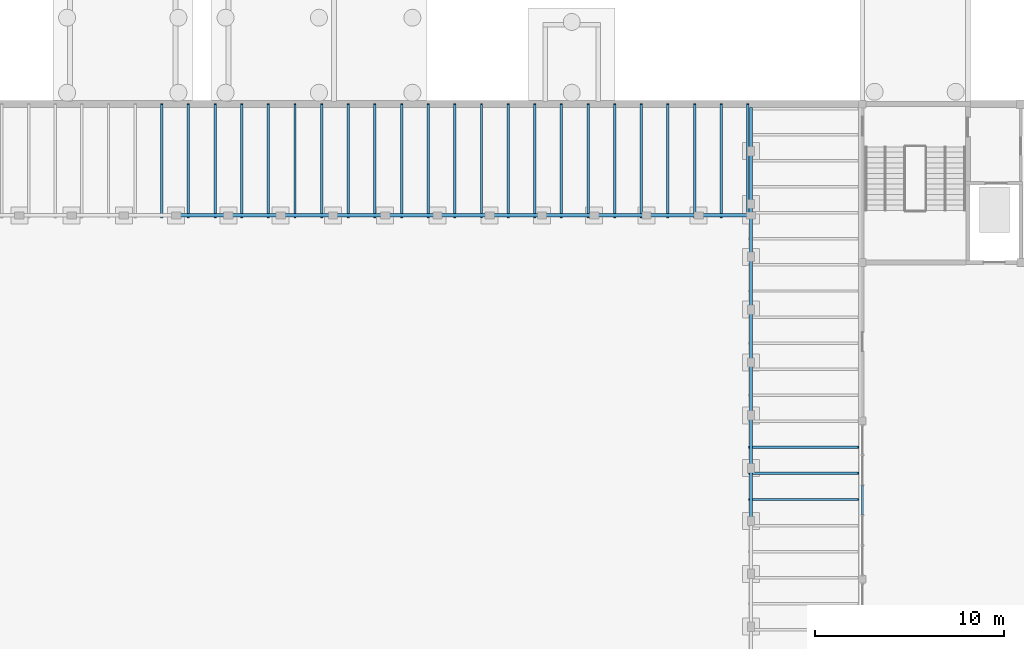
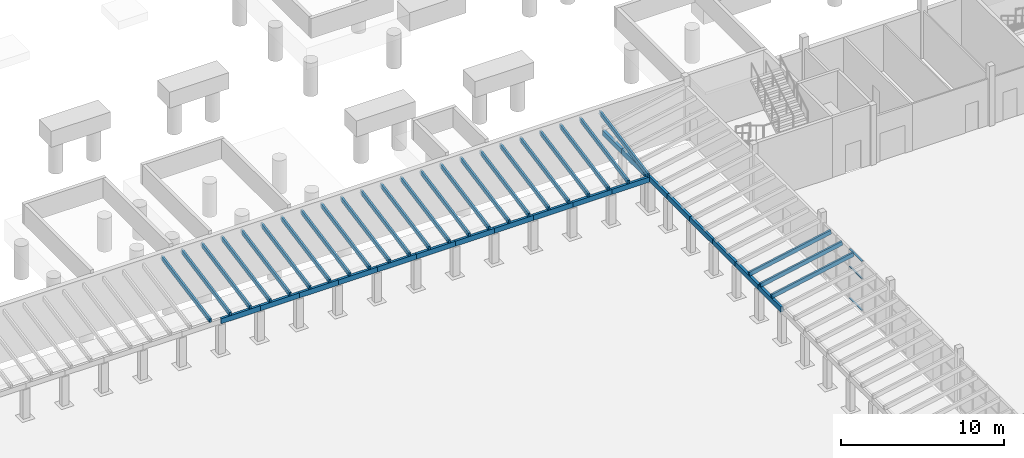
# One storey, part 17 of 60: 29 members, 19 beams, 1 element without a shape of its own.
"""IFC4 building model written with IfcOpenShell, lengths in metres."""

import ifcopenshell
import ifcopenshell.guid

model = None  # the IFC model being written
_history = None  # IfcOwnerHistory: only IFC2X3 demands one
_inside = {}  # id of a spatial element -> (the spatial element, [elements in it])
_under = {}  # id of a project, library or spatial element -> (it, [spatial elements below it])
_declared = {}  # id of a project -> (the project, [libraries it declares])
_typed = {}  # id of a type object -> (the type object, [elements of that type])
_made_of = {}  # id of a material, layer set ... -> (it, [elements and type objects made of it])


def new_model(schema):
    """Start an empty IFC model of exactly this schema.

    Asked for "IFC4X3", IfcOpenShell would pick the latest addendum, in which some entities
    have other attributes; the version numbers below select the first issue.
    IFC2X3 requires an IfcOwnerHistory on every rooted entity: one is made here for all.
    """
    global model, _history
    if schema == "IFC4X3":
        model = ifcopenshell.file(schema_version=(4, 3, 0, 0))
    else:
        model = ifcopenshell.file(schema=schema)
    _inside.clear()
    _under.clear()
    _declared.clear()
    _typed.clear()
    _made_of.clear()
    _history = None
    if model.schema == "IFC2X3":
        org = make("IfcOrganization", Name="unknown")
        user = make(
            "IfcPersonAndOrganization",
            ThePerson=make("IfcPerson", FamilyName="unknown"),
            TheOrganization=org,
        )
        app = make(
            "IfcApplication",
            ApplicationDeveloper=org,
            Version="unknown",
            ApplicationFullName="unknown",
            ApplicationIdentifier="unknown",
        )
        _history = make(
            "IfcOwnerHistory",
            OwningUser=user,
            OwningApplication=app,
            ChangeAction="ADDED",
            CreationDate=0,
        )
    return model


def make(cls, **values):
    """One entity of the class cls with the attributes given. An attribute that is None is left unset."""
    return model.create_entity(
        cls, **{name: value for name, value in values.items() if value is not None}
    )


def rooted(cls, **values):
    """An entity with a GlobalId (a new one), such as an element, a storey or a relation."""
    return make(cls, GlobalId=ifcopenshell.guid.new(), OwnerHistory=_history, **values)


def si_unit(unit_type, name, prefix=None):
    """IfcSIUnit, for example si_unit("LENGTHUNIT", "METRE", prefix="MILLI")."""
    return make("IfcSIUnit", UnitType=unit_type, Prefix=prefix, Name=name)


def assignment(units):
    """IfcUnitAssignment: the units of a project."""
    return None if units is None else make("IfcUnitAssignment", Units=units)


def point(xyz):
    """IfcCartesianPoint."""
    return None if xyz is None else make("IfcCartesianPoint", Coordinates=xyz)


def direction(xyz):
    """IfcDirection."""
    return None if xyz is None else make("IfcDirection", DirectionRatios=xyz)


def frame(location, z_axis=None, x_axis=None):
    """IfcAxis2Placement3D, a coordinate frame: its origin and axes. An axis left out is left unset."""
    return make(
        "IfcAxis2Placement3D",
        Location=point(location),
        Axis=direction(z_axis),
        RefDirection=direction(x_axis),
    )


def frame_2d(location, x_axis=None):
    """IfcAxis2Placement2D, a coordinate frame in the plane: its origin and x axis."""
    return make(
        "IfcAxis2Placement2D", Location=point(location), RefDirection=direction(x_axis)
    )


def origin():
    """The frame at (0, 0, 0) with its axes left unset."""
    return frame((0.0, 0.0, 0.0))


def origin_2d():
    """The frame at (0, 0) in the plane with its x axis left unset."""
    return frame_2d((0.0, 0.0))


def place(relative_to, where):
    """IfcLocalPlacement: puts the frame where relative to a parent placement (None: the world)."""
    return make(
        "IfcLocalPlacement", PlacementRelTo=relative_to, RelativePlacement=where
    )


def context(
    kind, dimensions, precision=None, world=None, true_north=None, identifier=None
):
    """IfcGeometricRepresentationContext, for example the 3D "Model" context."""
    return make(
        "IfcGeometricRepresentationContext",
        ContextIdentifier=identifier,
        ContextType=kind,
        CoordinateSpaceDimension=dimensions,
        Precision=precision,
        WorldCoordinateSystem=world,
        TrueNorth=true_north,
    )


def subcontext(parent, identifier, kind, view, scale=None):
    """IfcGeometricRepresentationSubContext, for example "Body" below "Model"."""
    return make(
        "IfcGeometricRepresentationSubContext",
        ContextIdentifier=identifier,
        ContextType=kind,
        ParentContext=parent,
        TargetScale=scale,
        TargetView=view,
    )


def project(units=None, contexts=None):
    """IfcProject with its units and contexts."""
    return rooted(
        "IfcProject",
        Name="project",
        RepresentationContexts=contexts,
        UnitsInContext=assignment(units),
    )


def spatial(cls, under=None, at=None, **own):
    """A site, building, storey or space (cls), placed at a placement, below another one or the project."""
    s = rooted(cls, ObjectPlacement=at, **own)
    if under is not None:
        _under.setdefault(under.id(), (under, []))[1].append(s)
    return s


def profile(cls, at=None, kind="AREA", **sizes):
    """A parametric profile (cls). Its sizes go by their IFC names, for example OverallWidth=200.0."""
    return make(cls, ProfileType=kind, Position=at, **sizes)


def rectangle(**sizes):
    """IfcRectangleProfileDef."""
    return profile("IfcRectangleProfileDef", **sizes)


def extrude(swept, where, along, depth):
    """IfcExtrudedAreaSolid: the profile swept, set in the frame where, extruded along a direction by depth."""
    return make(
        "IfcExtrudedAreaSolid",
        SweptArea=swept,
        Position=where,
        ExtrudedDirection=direction(along),
        Depth=depth,
    )


def shape(context_of_items, identifier, shape_type, items):
    """IfcShapeRepresentation: the items that make up one representation, for example the "Body"."""
    return make(
        "IfcShapeRepresentation",
        ContextOfItems=context_of_items,
        RepresentationIdentifier=identifier,
        RepresentationType=shape_type,
        Items=items,
    )


def material(Name=None, Category=None):
    """IfcMaterial."""
    return make("IfcMaterial", Name=Name, Category=Category)


def material_profile(
    of_material, cross_section, Name=None, Category=None, Priority=None
):
    """IfcMaterialProfile: a cross section and its material."""
    return make(
        "IfcMaterialProfile",
        Name=Name,
        Material=of_material,
        Profile=cross_section,
        Priority=Priority,
        Category=Category,
    )


def profile_set(profiles, Name=None, composite=None):
    """IfcMaterialProfileSet."""
    return make(
        "IfcMaterialProfileSet",
        Name=Name,
        MaterialProfiles=profiles,
        CompositeProfile=composite,
    )


def made_of(thing, what):
    """Note that an element or type object is made of a material, layer set ...; save() writes the relation."""
    if what is not None:
        _made_of.setdefault(what.id(), (what, []))[1].append(thing)
    return thing


def type_object(cls, material=None, **own):
    """A type object (cls), such as IfcWallType, which elements share."""
    return made_of(rooted(cls, **own), material)


def element(
    cls,
    number,
    at=None,
    inside=None,
    cuts=None,
    type_object=None,
    material=None,
    context=None,
    identifier="Body",
    shape_type=None,
    held_by="IfcProductDefinitionShape",
    body=None,
    shapes=None,
    **own,
):
    """One element of the class cls, such as IfcWall. Its Tag is "e" and its number.

    at: its placement. inside: the storey or other place that contains it. cuts: it is an
    opening in that element (IfcRelVoidsElement). A single representation is given by context,
    identifier, shape_type and body (its items); several are given by shapes. held_by: the class
    of the entity that holds the representations. save() writes the other relations.
    """
    e = rooted(cls, Tag="e%d" % number, ObjectPlacement=at, **own)
    if body is not None:
        shapes = [shape(context, identifier, shape_type, body)]
    if shapes is not None:
        e.Representation = make(held_by, Representations=shapes)
    if inside is not None:
        _inside.setdefault(inside.id(), (inside, []))[1].append(e)
    if cuts is not None:
        rooted(
            "IfcRelVoidsElement", RelatingBuildingElement=cuts, RelatedOpeningElement=e
        )
    if type_object is not None:
        _typed.setdefault(type_object.id(), (type_object, []))[1].append(e)
    return made_of(e, material)


def aggregate(whole, parts):
    """IfcRelAggregates: a whole, such as a stair, and the parts it consists of."""
    return rooted("IfcRelAggregates", RelatingObject=whole, RelatedObjects=parts)


def save(model, path):
    """Write the relations noted so far, then the file.

    IfcRelAggregates (storeys below a building ...), IfcRelContainedInSpatialStructure (elements
    in a storey), IfcRelDefinesByType, IfcRelAssociatesMaterial and IfcRelDeclares: one each for
    every whole, place, type object, material and project.
    """
    for whole, parts in _under.values():
        aggregate(whole, parts)
    for where, things in _inside.values():
        rooted(
            "IfcRelContainedInSpatialStructure",
            RelatedElements=things,
            RelatingStructure=where,
        )
    for kind, things in _typed.values():
        rooted("IfcRelDefinesByType", RelatedObjects=things, RelatingType=kind)
    for what, things in _made_of.values():
        rooted("IfcRelAssociatesMaterial", RelatedObjects=things, RelatingMaterial=what)
    for by, libraries in _declared.values():
        rooted("IfcRelDeclares", RelatingContext=by, RelatedDefinitions=libraries)
    model.write(path)


model = new_model("IFC4")

# Units and contexts
model_context = context("Model", 3, precision=1e-05, world=origin(), true_north=direction((0.0, 1.0)))
body_context = subcontext(model_context, "Body", "Model", "MODEL_VIEW")
ifc_project = project(units=[si_unit("LENGTHUNIT", "METRE"), si_unit("AREAUNIT", "SQUARE_METRE"), si_unit("VOLUMEUNIT", "CUBIC_METRE"), si_unit("PLANEANGLEUNIT", "RADIAN"), si_unit("MASSUNIT", "GRAM", prefix="KILO")], contexts=[model_context])

# Site, building, storey
site_placement = place(None, origin())
site = spatial("IfcSite", under=ifc_project, at=site_placement, CompositionType="ELEMENT")
building_placement = place(site_placement, origin())
building = spatial("IfcBuilding", under=site, at=building_placement, Name="Fescue Hill Polytechnic", CompositionType="ELEMENT")
storey_placement = place(building_placement, frame((0.0, 0.0, 4.5)))
storey = spatial("IfcBuildingStorey", under=building, at=storey_placement, Name="L01", CompositionType="ELEMENT", Elevation=4.5)

# Curtain wall, members
ifc_material_1 = material(Name="Glass", Category="glass")
curtain_wall_type = type_object("IfcCurtainWallType", Name="Curtain wall structural glazing", PredefinedType="NOTDEFINED", material=ifc_material_1)
curtain_wall_placement = place(storey_placement, origin())
curtain_wall = element("IfcCurtainWall", 1, at=curtain_wall_placement, inside=storey, type_object=curtain_wall_type, Name="CW-L01-V6-2", PredefinedType="NOTDEFINED")
ifc_material_2 = material(Name="Powder-coated aluminium", Category="aluminium")
ifc_material_profile_1 = material_profile(ifc_material_2, rectangle(XDim=0.1201171875, YDim=0.06005859375, at=origin_2d()), Name="Transom aluminium 60x120")
ifc_profile_set_1 = profile_set([ifc_material_profile_1], Name="Powder-coated aluminium")
member_type_1 = type_object("IfcMemberType", Name="Transom aluminium 60x120", PredefinedType="USERDEFINED", material=ifc_profile_set_1)
member_1_placement = place(storey_placement, frame((92.39990234375, 88.969970703125, 0.030029296875), z_axis=(0.0, -1.0, 0.0), x_axis=(1.0, 0.0, 0.0)))
member_1 = element("IfcMember", 2, at=member_1_placement, type_object=member_type_1, Name="CW48 transom 3.1", ObjectType="TRANSOM", PredefinedType="USERDEFINED", context=body_context, shape_type="SweptSolid", body=[
    extrude(rectangle(XDim=0.1201171875, YDim=0.06005859375, at=origin_2d()), origin(), (0.0, 0.0, 1.0), 1.5400390625),
])
member_2_placement = place(storey_placement, frame((92.39990234375, 88.969970703125, 2.39990234375), z_axis=(0.0, -1.0, 0.0), x_axis=(1.0, 0.0, 0.0)))
member_2 = element("IfcMember", 3, at=member_2_placement, type_object=member_type_1, Name="CW48 transom 3.2", ObjectType="TRANSOM", PredefinedType="USERDEFINED", context=body_context, shape_type="SweptSolid", body=[
    extrude(rectangle(XDim=0.1201171875, YDim=0.06005859375, at=origin_2d()), origin(), (0.0, 0.0, 1.0), 1.5400390625),
])
member_3_placement = place(storey_placement, frame((92.39990234375, 88.969970703125, 3.699951171875), z_axis=(0.0, -1.0, 0.0), x_axis=(1.0, 0.0, 0.0)))
member_3 = element("IfcMember", 4, at=member_3_placement, type_object=member_type_1, Name="CW48 transom 3.3", ObjectType="TRANSOM", PredefinedType="USERDEFINED", context=body_context, shape_type="SweptSolid", body=[
    extrude(rectangle(XDim=0.1201171875, YDim=0.06005859375, at=origin_2d()), origin(), (0.0, 0.0, 1.0), 1.5400390625),
])
aggregate(curtain_wall, [member_1, member_2, member_3])

# Beams
ifc_material_3 = material(Name="Glulam 24f-EX", Category="wood")
ifc_material_profile_2 = material_profile(ifc_material_3, rectangle(XDim=0.175048828125, YDim=0.3798828125, at=origin_2d()), Name="Veranda eaves beam 175x380")
ifc_profile_set_2 = profile_set([ifc_material_profile_2], Name="Glulam 24f-EX")
beam_type = type_object("IfcBeamType", Name="Veranda eaves beam 175x380", PredefinedType="BEAM", material=ifc_profile_set_2)
beam_1_placement = place(storey_placement, frame((86.5, 87.10009765625, 2.365966796875), z_axis=(0.0, 1.0, 0.0), x_axis=(-1.0, 0.0, 0.0)))
element("IfcBeam", 5, at=beam_1_placement, inside=storey, type_object=beam_type, Name="Winter garden veranda eaves beam", PredefinedType="BEAM", context=body_context, shape_type="SweptSolid", body=[
    extrude(rectangle(XDim=0.175048828125, YDim=0.3798828125, at=origin_2d()), origin(), (0.0, 0.0, 1.0), 2.7998046875),
])
for number, where, z_axis, x_axis, name in (
    (6, (86.5, 89.89990234375, 2.365966796875), (0.0, 1.0, 0.0), (-1.0, 0.0, 0.0), "Winter garden veranda eaves beam"),
    (7, (86.5, 92.699951171875, 2.365966796875), (0.0, 1.0, 0.0), (-1.0, 0.0, 0.0), "Winter garden veranda eaves beam"),
    (8, (86.5, 95.5, 2.365966796875), (0.0, 1.0, 0.0), (-1.0, 0.0, 0.0), "Winter garden veranda eaves beam"),
    (9, (86.5, 98.300048828125, 2.365966796875), (0.0, 1.0, 0.0), (-1.0, 0.0, 0.0), "Winter garden veranda eaves beam"),
):
    element("IfcBeam", number, at=place(storey_placement, frame(where, z_axis=z_axis, x_axis=x_axis)), inside=storey, type_object=beam_type, Name=name, PredefinedType="BEAM", context=body_context, shape_type="SweptSolid", body=[
        extrude(rectangle(XDim=0.175048828125, YDim=0.3798828125, at=origin_2d()), origin(), (0.0, 0.0, 1.0), 2.800048828125),
    ])
beam_2_placement = place(storey_placement, frame((86.5, 101.10009765625, 2.365966796875), z_axis=(0.0, 1.0, 0.0), x_axis=(-1.0, 0.0, 0.0)))
element("IfcBeam", 10, at=beam_2_placement, inside=storey, type_object=beam_type, Name="Winter garden veranda eaves beam", PredefinedType="BEAM", context=body_context, shape_type="SweptSolid", body=[
    extrude(rectangle(XDim=0.175048828125, YDim=0.3798828125, at=origin_2d()), origin(), (0.0, 0.0, 1.0), 2.7998046875),
])
beam_3_placement = place(storey_placement, frame((86.5, 103.89990234375, 2.365966796875), z_axis=(0.0, 1.0, 0.0), x_axis=(-1.0, 0.0, 0.0)))
element("IfcBeam", 11, at=beam_3_placement, inside=storey, type_object=beam_type, Name="Winter garden veranda eaves beam", PredefinedType="BEAM", context=body_context, shape_type="SweptSolid", body=[
    extrude(rectangle(XDim=0.175048828125, YDim=0.3798828125, at=origin_2d()), origin(), (0.0, 0.0, 1.0), 2.800048828125),
])
beam_4_placement = place(storey_placement, frame((86.5, 106.699951171875, 2.365966796875), z_axis=(0.0, 1.0, 0.0), x_axis=(-1.0, 0.0, 0.0)))
element("IfcBeam", 12, at=beam_4_placement, inside=storey, type_object=beam_type, Name="Winter garden veranda eaves beam", PredefinedType="BEAM", context=body_context, shape_type="SweptSolid", body=[
    extrude(rectangle(XDim=0.175048828125, YDim=0.3798828125, at=origin_2d()), origin(), (0.0, 0.0, 1.0), 2.324951171875),
])
for number, where, z_axis, x_axis, name in (
    (13, (56.030029296875, 103.300048828125, 2.365966796875), (1.0, 0.0, 0.0), (0.0, 1.0, 0.0), "Court north veranda eaves beam"),
    (14, (58.800048828125, 103.300048828125, 2.365966796875), (1.0, 0.0, 0.0), (0.0, 1.0, 0.0), "Court north veranda eaves beam"),
    (15, (61.570068359375, 103.300048828125, 2.365966796875), (1.0, 0.0, 0.0), (0.0, 1.0, 0.0), "Court north veranda eaves beam"),
    (16, (64.340087890625, 103.300048828125, 2.365966796875), (1.0, 0.0, 0.0), (0.0, 1.0, 0.0), "Court north veranda eaves beam"),
):
    element("IfcBeam", number, at=place(storey_placement, frame(where, z_axis=z_axis, x_axis=x_axis)), inside=storey, type_object=beam_type, Name=name, PredefinedType="BEAM", context=body_context, shape_type="SweptSolid", body=[
        extrude(rectangle(XDim=0.175048828125, YDim=0.3798828125, at=origin_2d()), origin(), (0.0, 0.0, 1.0), 2.77001953125),
    ])
beam_5_placement = place(storey_placement, frame((67.110107421875, 103.300048828125, 2.365966796875), z_axis=(1.0, 0.0, 0.0), x_axis=(0.0, 1.0, 0.0)))
element("IfcBeam", 17, at=beam_5_placement, inside=storey, type_object=beam_type, Name="Court north veranda eaves beam", PredefinedType="BEAM", context=body_context, shape_type="SweptSolid", body=[
    extrude(rectangle(XDim=0.175048828125, YDim=0.3798828125, at=origin_2d()), origin(), (0.0, 0.0, 1.0), 2.769775390625),
])
for number, where, z_axis, x_axis, name in (
    (18, (69.8798828125, 103.300048828125, 2.365966796875), (1.0, 0.0, 0.0), (0.0, 1.0, 0.0), "Court north veranda eaves beam"),
    (19, (72.64990234375, 103.300048828125, 2.365966796875), (1.0, 0.0, 0.0), (0.0, 1.0, 0.0), "Court north veranda eaves beam"),
    (20, (75.419921875, 103.300048828125, 2.365966796875), (1.0, 0.0, 0.0), (0.0, 1.0, 0.0), "Court north veranda eaves beam"),
    (21, (78.18994140625, 103.300048828125, 2.365966796875), (1.0, 0.0, 0.0), (0.0, 1.0, 0.0), "Court north veranda eaves beam"),
    (22, (80.9599609375, 103.300048828125, 2.365966796875), (1.0, 0.0, 0.0), (0.0, 1.0, 0.0), "Court north veranda eaves beam"),
    (23, (83.72998046875, 103.300048828125, 2.365966796875), (1.0, 0.0, 0.0), (0.0, 1.0, 0.0), "Court north veranda eaves beam"),
):
    element("IfcBeam", number, at=place(storey_placement, frame(where, z_axis=z_axis, x_axis=x_axis)), inside=storey, type_object=beam_type, Name=name, PredefinedType="BEAM", context=body_context, shape_type="SweptSolid", body=[
        extrude(rectangle(XDim=0.175048828125, YDim=0.3798828125, at=origin_2d()), origin(), (0.0, 0.0, 1.0), 2.77001953125),
    ])

# Members
ifc_material_profile_3 = material_profile(ifc_material_3, rectangle(XDim=0.1298828125, YDim=0.303955078125, at=origin_2d()), Name="Veranda rafter 130x304")
ifc_profile_set_3 = profile_set([ifc_material_profile_3], Name="Glulam 24f-EX")
member_type_2 = type_object("IfcMemberType", Name="Veranda rafter 130x304", PredefinedType="RAFTER", material=ifc_profile_set_3)
for number, where, z_axis, x_axis, name in (
    (24, (92.199951171875, 88.23828125, 3.841064453125), (-0.980908023903, 0.0, -0.19447223103), (0.0, -1.0, 0.0), "Winter garden veranda rafter"),
    (25, (92.199951171875, 89.61962890625, 3.841064453125), (-0.980908023903, 0.0, -0.19447223103), (0.0, -1.0, 0.0), "Winter garden veranda rafter"),
    (26, (92.199951171875, 91.001220703125, 3.841064453125), (-0.980908023903, 0.0, -0.19447223103), (0.0, -1.0, 0.0), "Winter garden veranda rafter"),
):
    element("IfcMember", number, at=place(storey_placement, frame(where, z_axis=z_axis, x_axis=x_axis)), inside=storey, type_object=member_type_2, Name=name, PredefinedType="RAFTER", context=body_context, shape_type="SweptSolid", body=[
        extrude(rectangle(XDim=0.1298828125, YDim=0.303955078125, at=origin_2d()), origin(), (0.0, 0.0, 1.0), 5.912841796875),
    ])
for number, where, z_axis, x_axis, name in (
    (27, (55.269775390625, 109.199951171875, 3.841552734375), (0.0, -0.982125967057, -0.188224825229), (1.0, 0.0, 0.0), "Court north veranda rafter"),
    (28, (56.681884765625, 109.199951171875, 3.841552734375), (0.0, -0.982125967057, -0.188224825229), (1.0, 0.0, 0.0), "Court north veranda rafter"),
    (29, (58.093994140625, 109.199951171875, 3.841552734375), (0.0, -0.982125967057, -0.188224825229), (1.0, 0.0, 0.0), "Court north veranda rafter"),
    (30, (59.506103515625, 109.199951171875, 3.841552734375), (0.0, -0.982125967057, -0.188224825229), (1.0, 0.0, 0.0), "Court north veranda rafter"),
    (31, (60.91796875, 109.199951171875, 3.841552734375), (0.0, -0.982125967057, -0.188224825229), (1.0, 0.0, 0.0), "Court north veranda rafter"),
    (32, (62.330078125, 109.199951171875, 3.841552734375), (0.0, -0.982125967057, -0.188224825229), (1.0, 0.0, 0.0), "Court north veranda rafter"),
    (33, (63.7421875, 109.199951171875, 3.841552734375), (0.0, -0.982125967057, -0.188224825229), (1.0, 0.0, 0.0), "Court north veranda rafter"),
    (34, (65.154296875, 109.199951171875, 3.841552734375), (0.0, -0.982125967057, -0.188224825229), (1.0, 0.0, 0.0), "Court north veranda rafter"),
    (35, (66.566162109375, 109.199951171875, 3.841552734375), (0.0, -0.982125967057, -0.188224825229), (1.0, 0.0, 0.0), "Court north veranda rafter"),
    (36, (67.978271484375, 109.199951171875, 3.841552734375), (0.0, -0.982125967057, -0.188224825229), (1.0, 0.0, 0.0), "Court north veranda rafter"),
    (37, (69.390380859375, 109.199951171875, 3.841552734375), (0.0, -0.982125967057, -0.188224825229), (1.0, 0.0, 0.0), "Court north veranda rafter"),
    (38, (70.802490234375, 109.199951171875, 3.841552734375), (0.0, -0.982125967057, -0.188224825229), (1.0, 0.0, 0.0), "Court north veranda rafter"),
    (39, (72.214599609375, 109.199951171875, 3.841552734375), (0.0, -0.982125967057, -0.188224825229), (1.0, 0.0, 0.0), "Court north veranda rafter"),
    (40, (73.62646484375, 109.199951171875, 3.841552734375), (0.0, -0.982125967057, -0.188224825229), (1.0, 0.0, 0.0), "Court north veranda rafter"),
    (41, (75.03857421875, 109.199951171875, 3.841552734375), (0.0, -0.982125967057, -0.188224825229), (1.0, 0.0, 0.0), "Court north veranda rafter"),
    (42, (76.45068359375, 109.199951171875, 3.841552734375), (0.0, -0.982125967057, -0.188224825229), (1.0, 0.0, 0.0), "Court north veranda rafter"),
    (43, (77.86279296875, 109.199951171875, 3.841552734375), (0.0, -0.982125967057, -0.188224825229), (1.0, 0.0, 0.0), "Court north veranda rafter"),
    (44, (79.274658203125, 109.199951171875, 3.841552734375), (0.0, -0.982125967057, -0.188224825229), (1.0, 0.0, 0.0), "Court north veranda rafter"),
    (45, (80.686767578125, 109.199951171875, 3.841552734375), (0.0, -0.982125967057, -0.188224825229), (1.0, 0.0, 0.0), "Court north veranda rafter"),
    (46, (82.098876953125, 109.199951171875, 3.841552734375), (0.0, -0.982125967057, -0.188224825229), (1.0, 0.0, 0.0), "Court north veranda rafter"),
    (47, (83.510986328125, 109.199951171875, 3.841552734375), (0.0, -0.982125967057, -0.188224825229), (1.0, 0.0, 0.0), "Court north veranda rafter"),
    (48, (84.9228515625, 109.199951171875, 3.841552734375), (0.0, -0.982125967057, -0.188224825229), (1.0, 0.0, 0.0), "Court north veranda rafter"),
    (49, (86.3349609375, 109.199951171875, 3.841552734375), (0.0, -0.982125967057, -0.188224825229), (1.0, 0.0, 0.0), "Court north veranda rafter"),
):
    element("IfcMember", number, at=place(storey_placement, frame(where, z_axis=z_axis, x_axis=x_axis)), inside=storey, type_object=member_type_2, Name=name, PredefinedType="RAFTER", context=body_context, shape_type="SweptSolid", body=[
        extrude(rectangle(XDim=0.1298828125, YDim=0.303955078125, at=origin_2d()), origin(), (0.0, 0.0, 1.0), 6.109130859375),
    ])

save(model, "model.ifc")
